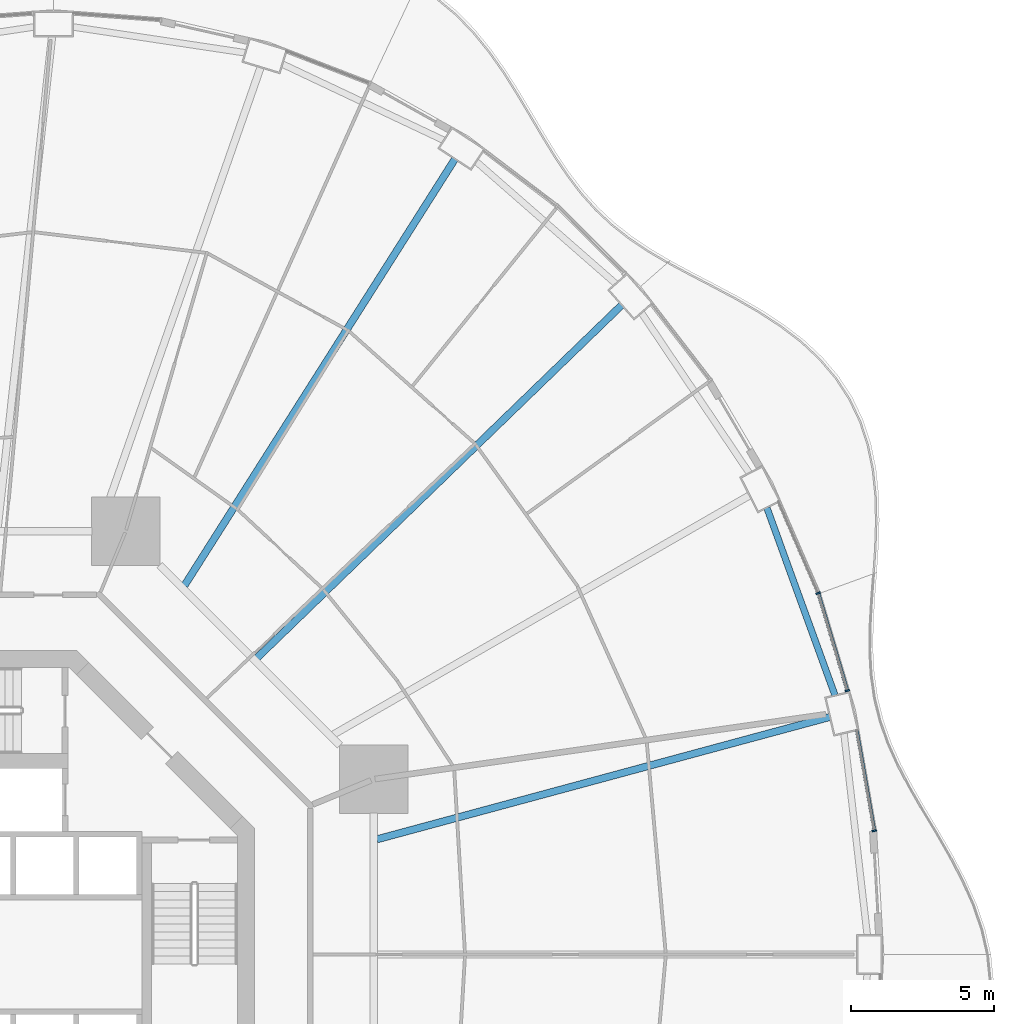
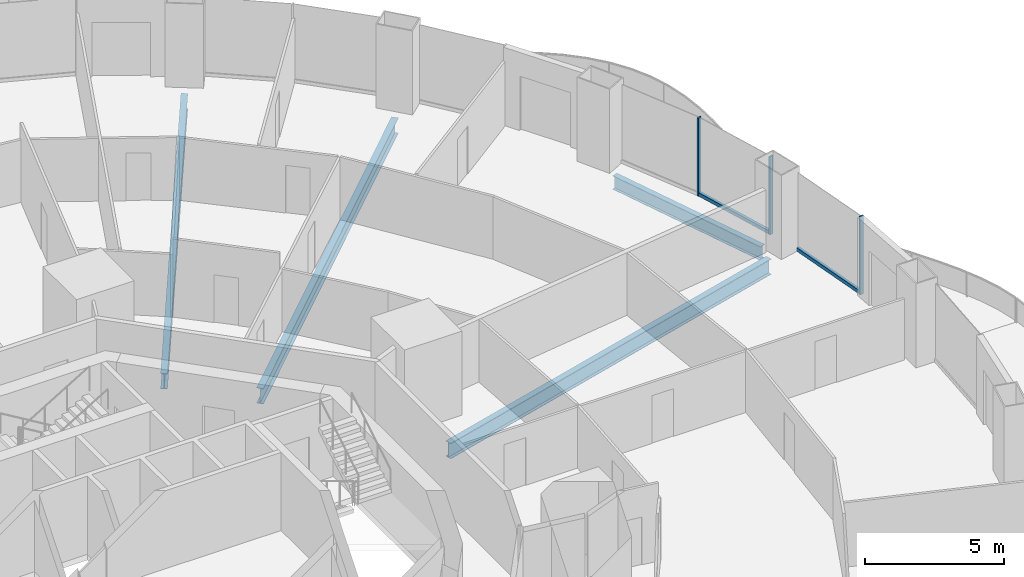
# One storey, part 9 of 23: 5 members, 4 beams, 3 elements without a shape of their own.
"""IFC4 building model written with IfcOpenShell, lengths in metres."""

from ifc_helpers import new_model, si_unit, direction, frame, origin, origin_2d, place, context, subcontext, project, spatial, rectangle, i_section, extrude, material, layer, layer_set, material_profile, profile_set, type_object, element, aggregate, save


model = new_model("IFC4")

# Units and contexts
model_context = context("Model", 3, precision=1e-05, world=origin(), true_north=direction((0.0, 1.0)))
body_context = subcontext(model_context, "Body", "Model", "MODEL_VIEW")
ifc_project = project(units=[si_unit("LENGTHUNIT", "METRE"), si_unit("AREAUNIT", "SQUARE_METRE"), si_unit("VOLUMEUNIT", "CUBIC_METRE"), si_unit("PLANEANGLEUNIT", "RADIAN"), si_unit("MASSUNIT", "GRAM", prefix="KILO")], contexts=[model_context])

# Site, building, storey
site_placement = place(None, origin())
site = spatial("IfcSite", under=ifc_project, at=site_placement, CompositionType="ELEMENT")
building_placement = place(site_placement, origin())
building = spatial("IfcBuilding", under=site, at=building_placement, Name="Nagisa Residences", CompositionType="ELEMENT")
storey_placement = place(building_placement, frame((0.0, 0.0, 56.60009765625)))
storey = spatial("IfcBuildingStorey", under=building, at=storey_placement, Name="L13", CompositionType="ELEMENT", Elevation=56.60009765625)

# Curtain wall, member
ifc_material_1 = material(Name="Concrete-coloured aluminium curtain wall system", Category="concrete")
ifc_layer = layer(ifc_material_1, 0.159912109375)
ifc_layer_set = layer_set([ifc_layer], Name="CW1 CURTAIN WALL")
curtain_wall_type = type_object("IfcCurtainWallType", Name="CW1 CURTAIN WALL", PredefinedType="NOTDEFINED", material=ifc_layer_set)
curtain_wall_1_placement = place(storey_placement, origin())
curtain_wall_1 = element("IfcCurtainWall", 1, at=curtain_wall_1_placement, inside=storey, type_object=curtain_wall_type, Name="cw:CW1:L13:01", PredefinedType="NOTDEFINED")
ifc_material_2 = material(Name="Concrete-coloured aluminium", Category="concrete")
ifc_material_profile_1 = material_profile(ifc_material_2, rectangle(XDim=0.159912109375, YDim=0.06005859375, at=origin_2d()), Name="CW1 MULLION 160x60")
ifc_profile_set_1 = profile_set([ifc_material_profile_1], Name="Concrete-coloured aluminium")
member_type_1 = type_object("IfcMemberType", Name="CW1 MULLION 160x60", PredefinedType="MULLION", material=ifc_profile_set_1)
member_1_placement = place(storey_placement, frame((32.267822265625, 4.3232421875, 0.0), z_axis=(0.0, 0.0, 1.0), x_axis=(-0.985063604377, -0.172190868898, 0.0)))
member_1 = element("IfcMember", 2, at=member_1_placement, type_object=member_type_1, Name="CW1 mullion", PredefinedType="MULLION", context=body_context, shape_type="SweptSolid", body=[
    extrude(rectangle(XDim=0.159912109375, YDim=0.06005859375, at=origin_2d()), origin(), (0.0, 0.0, 1.0), 3.43994140625),
])

curtain_wall_2_placement = place(storey_placement, origin())
curtain_wall_2 = element("IfcCurtainWall", 3, at=curtain_wall_2_placement, inside=storey, type_object=curtain_wall_type, Name="cw:CW1:L13:02", PredefinedType="NOTDEFINED")
member_2_placement = place(storey_placement, frame((31.326416015625, 9.2177734375, 0.0), z_axis=(0.0, 0.0, 1.0), x_axis=(-0.958271310082, -0.285860274038, 0.0)))
member_2 = element("IfcMember", 4, at=member_2_placement, type_object=member_type_1, Name="CW1 mullion", PredefinedType="MULLION", context=body_context, shape_type="SweptSolid", body=[
    extrude(rectangle(XDim=0.159912109375, YDim=0.06005859375, at=origin_2d()), origin(), (0.0, 0.0, 1.0), 3.43994140625),
])

curtain_wall_3_placement = place(storey_placement, origin())
curtain_wall_3 = element("IfcCurtainWall", 5, at=curtain_wall_3_placement, inside=storey, type_object=curtain_wall_type, Name="cw:CW1:L13:03", PredefinedType="NOTDEFINED")
member_3_placement = place(storey_placement, frame((30.30712890625, 12.624267578125, 0.0), z_axis=(0.0, 0.0, 1.0), x_axis=(-0.917543276295, -0.397635934147, 0.0)))
member_3 = element("IfcMember", 6, at=member_3_placement, type_object=member_type_1, Name="CW1 mullion", PredefinedType="MULLION", context=body_context, shape_type="SweptSolid", body=[
    extrude(rectangle(XDim=0.159912109375, YDim=0.06005859375, at=origin_2d()), origin(), (0.0, 0.0, 1.0), 3.43994140625),
])
aggregate(curtain_wall_3, [member_3])

# Member
ifc_material_3 = material(Name="Concrete-coloured aluminium", Category="concrete")
ifc_material_profile_2 = material_profile(ifc_material_3, rectangle(XDim=0.1201171875, YDim=0.14990234375, at=origin_2d()), Name="CW1 TRANSOM 120x150")
ifc_profile_set_2 = profile_set([ifc_material_profile_2], Name="Concrete-coloured aluminium")
member_type_2 = type_object("IfcMemberType", Name="CW1 TRANSOM 120x150", PredefinedType="USERDEFINED", material=ifc_profile_set_2)
member_4_placement = place(storey_placement, frame((32.273193359375, 4.293701171875, 0.074951171875), z_axis=(-0.172228889385, 0.985056957572, 0.0), x_axis=(-0.985056957572, -0.172228889385, 0.0)))
member_4 = element("IfcMember", 7, at=member_4_placement, type_object=member_type_2, Name="CW1 transom", ObjectType="TRANSOM", PredefinedType="USERDEFINED", context=body_context, shape_type="SweptSolid", body=[
    extrude(rectangle(XDim=0.1201171875, YDim=0.14990234375, at=origin_2d()), origin(), (0.0, 0.0, 1.0), 3.59765625),
])

aggregate(curtain_wall_1, [member_1, member_4])

member_5_placement = place(storey_placement, frame((31.335205078125, 9.18896484375, 0.074951171875), z_axis=(-0.285871309426, 0.958268018065, 0.0), x_axis=(-0.958268018065, -0.285871309426, 0.0)))
member_5 = element("IfcMember", 8, at=member_5_placement, type_object=member_type_2, Name="CW1 transom", ObjectType="TRANSOM", PredefinedType="USERDEFINED", context=body_context, shape_type="SweptSolid", body=[
    extrude(rectangle(XDim=0.1201171875, YDim=0.14990234375, at=origin_2d()), origin(), (0.0, 0.0, 1.0), 3.5654296875),
])

aggregate(curtain_wall_2, [member_2, member_5])

# Beams
ifc_material_4 = material(Name="Steel ASTM A572 Gr 50", Category="steel")
ifc_material_profile_3 = material_profile(ifc_material_4, i_section(OverallWidth=0.22802734375, OverallDepth=0.60302734375, WebThickness=0.010498046875, FlangeThickness=0.014892578125, at=origin_2d()), Name="W610x101")
ifc_profile_set_3 = profile_set([ifc_material_profile_3], Name="Steel ASTM A572 Gr 50")
beam_type_1 = type_object("IfcBeamType", Name="Perimeter ring beam W610x101", PredefinedType="BEAM", material=ifc_profile_set_3)
beam_1_placement = place(storey_placement, frame((30.89501953125, 9.055419921875, -0.5615234375), z_axis=(-0.341411143183, 0.939914055279, 0.0), x_axis=(-0.939914055279, -0.341411143183, 0.0)))
element("IfcBeam", 9, at=beam_1_placement, inside=storey, type_object=beam_type_1, Name="beam:L13:pb02", PredefinedType="BEAM", context=body_context, shape_type="SweptSolid", body=[
    extrude(i_section(OverallWidth=0.22802734375, OverallDepth=0.60302734375, WebThickness=0.010498046875, FlangeThickness=0.014892578125, at=origin_2d()), origin(), (0.0, 0.0, 1.0), 6.96923828125),
])
ifc_material_5 = material(Name="Steel ASTM A572 Gr 50", Category="steel")
ifc_material_profile_4 = material_profile(ifc_material_5, i_section(OverallWidth=0.25390625, OverallDepth=0.68408203125, WebThickness=0.012451171875, FlangeThickness=0.018798828125, at=origin_2d()), Name="W690x140")
ifc_profile_set_4 = profile_set([ifc_material_profile_4], Name="Steel ASTM A572 Gr 50")
beam_type_2 = type_object("IfcBeamType", Name="Radial beam W690x140", PredefinedType="BEAM", material=ifc_profile_set_4)
beam_2_placement = place(storey_placement, frame((30.713623046875, 8.29931640625, -0.60205078125), z_axis=(-0.965375968847, -0.260862490162, 0.0), x_axis=(0.260862490162, -0.965375968847, 0.0)))
element("IfcBeam", 10, at=beam_2_placement, inside=storey, type_object=beam_type_2, Name="beam:L13:rb02", PredefinedType="BEAM", context=body_context, shape_type="SweptSolid", body=[
    extrude(i_section(OverallWidth=0.25390625, OverallDepth=0.68408203125, WebThickness=0.012451171875, FlangeThickness=0.018798828125, at=origin_2d()), origin(), (0.0, 0.0, 1.0), 16.3857421875),
])
beam_3_placement = place(storey_placement, frame((23.443115234375, 22.681640625, -0.60205078125), z_axis=(-0.718678305776, -0.695342716081, 0.0), x_axis=(0.695342716081, -0.718678305776, 0.0)))
element("IfcBeam", 11, at=beam_3_placement, inside=storey, type_object=beam_type_2, Name="beam:L13:rb04", PredefinedType="BEAM", context=body_context, shape_type="SweptSolid", body=[
    extrude(i_section(OverallWidth=0.25390625, OverallDepth=0.68408203125, WebThickness=0.012451171875, FlangeThickness=0.018798828125, at=origin_2d()), origin(), (0.0, 0.0, 1.0), 17.722900390625),
])
beam_4_placement = place(storey_placement, frame((17.61962890625, 27.78271484375, -0.60205078125), z_axis=(-0.53556610664, -0.844493306911, 0.0), x_axis=(0.844493306911, -0.53556610664, 0.0)))
element("IfcBeam", 12, at=beam_4_placement, inside=storey, type_object=beam_type_2, Name="beam:L13:rb05", PredefinedType="BEAM", context=body_context, shape_type="SweptSolid", body=[
    extrude(i_section(OverallWidth=0.25390625, OverallDepth=0.68408203125, WebThickness=0.012451171875, FlangeThickness=0.018798828125, at=origin_2d()), origin(), (0.0, 0.0, 1.0), 17.63525390625),
])

save(model, "model.ifc")
